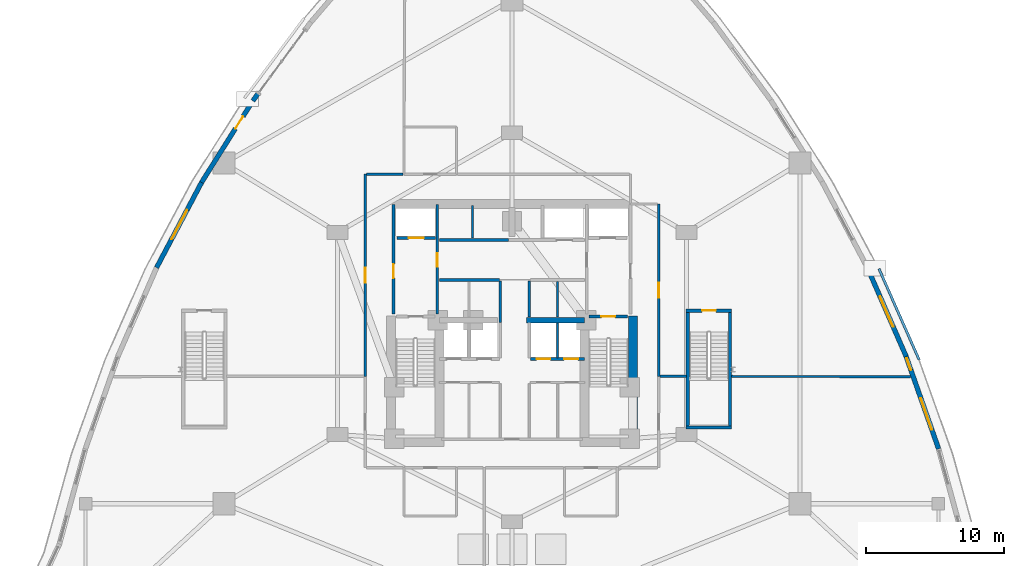
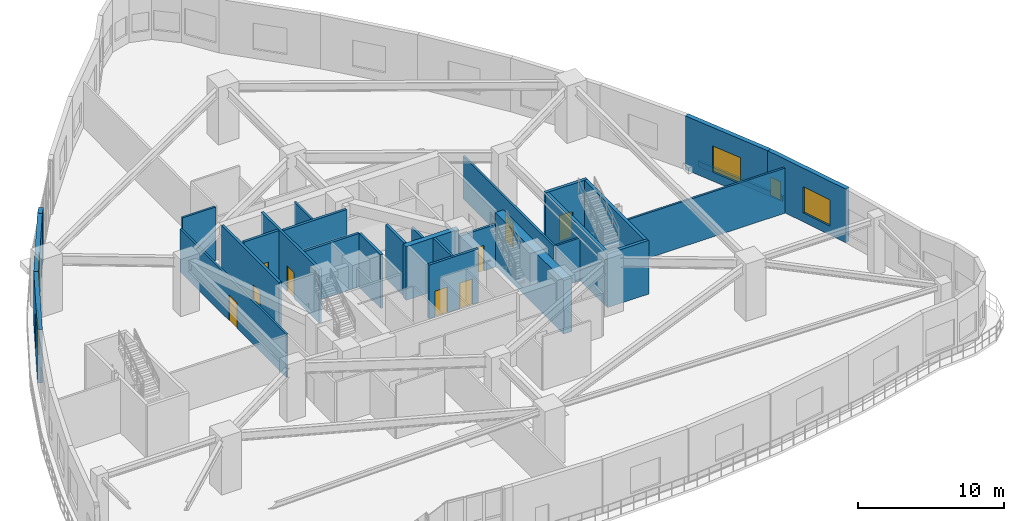
# One storey, part 17 of 23: 29 walls, 10 doors, 4 windows, 14 openings.
"""IFC4 building model written with IfcOpenShell, lengths in metres."""

from ifc_helpers import new_model, si_unit, direction, frame, frame_2d, origin, place, context, subcontext, project, spatial, rectangle, extrude, material, layer, layer_set, type_object, element, fill, save


model = new_model("IFC4")

# Units and contexts
model_context = context("Model", 3, precision=1e-05, world=origin(), true_north=direction((0.0, 1.0)))
body_context = subcontext(model_context, "Body", "Model", "MODEL_VIEW")
ifc_project = project(units=[si_unit("LENGTHUNIT", "METRE"), si_unit("AREAUNIT", "SQUARE_METRE"), si_unit("VOLUMEUNIT", "CUBIC_METRE"), si_unit("PLANEANGLEUNIT", "RADIAN"), si_unit("MASSUNIT", "GRAM", prefix="KILO")], contexts=[model_context])

# Site, building, storey
site_placement = place(None, origin())
site = spatial("IfcSite", under=ifc_project, at=site_placement, CompositionType="ELEMENT")
building_placement = place(site_placement, origin())
building = spatial("IfcBuilding", under=site, at=building_placement, Name="Miruveldt Soraemaru", CompositionType="ELEMENT")
storey_placement = place(building_placement, frame((0.0, 0.0, 9.60009765625)))
storey = spatial("IfcBuildingStorey", under=building, at=storey_placement, Name="L03", CompositionType="ELEMENT", Elevation=9.60009765625)

# Wall
ifc_material_1 = material(Name="Concrete C70/85 (70 MPa)", Category="concrete")
ifc_layer_1 = layer(ifc_material_1, 0.5, Name="Concrete C70/85 (70 MPa)", Category="concrete")
ifc_layer_set_1 = layer_set([ifc_layer_1], Name="Concrete C70/85 (70 MPa)")
wall_type_1 = type_object("IfcWallType", Name="WALL-BW-500", PredefinedType="SHEAR", material=ifc_layer_set_1)
wall_1_placement = place(storey_placement, frame((45.050048828125, 44.050048828125, 0.0), z_axis=(0.0, 0.0, 1.0), x_axis=(1.0, 0.0, 0.0)))
element("IfcWall", 1, at=wall_1_placement, inside=storey, type_object=wall_type_1, Name="L03 Core Buttress Shear Wall BE", PredefinedType="SHEAR", context=body_context, shape_type="SweptSolid", body=[
    extrude(rectangle(XDim=4.199951171875, YDim=0.39990234375, at=frame_2d((2.10009765625, 0.0))), origin(), (0.0, 0.0, 1.0), 4.5),
])

# Wall, opening, door
ifc_material_2 = material(Name="Concrete C50/60 (50 MPa)", Category="concrete")
ifc_layer_2 = layer(ifc_material_2, 0.419921875, Name="Concrete C50/60 (50 MPa)", Category="concrete")
ifc_layer_set_2 = layer_set([ifc_layer_2], Name="Concrete C50/60 (50 MPa)")
wall_type_2 = type_object("IfcWallType", Name="WALL-CW-420", PredefinedType="SHEAR", material=ifc_layer_set_2)
wall_2_placement = place(storey_placement, frame((56.580078125, 44.75, 0.0), z_axis=(0.0, 0.0, 1.0), x_axis=(1.0, 0.0, 0.0)))
wall_2 = element("IfcWall", 2, at=wall_2_placement, inside=storey, type_object=wall_type_2, Name="L03 Podium Garden Feature Stair ST-4 Structural Shaft Wall N", PredefinedType="SHEAR", context=body_context, shape_type="SweptSolid", body=[
    extrude(rectangle(XDim=3.2900390625, YDim=0.239990234375, at=frame_2d((1.64501953125, 0.0))), origin(), (0.0, 0.0, 1.0), 4.5),
])
opening_1_placement = place(wall_2_placement, frame((1.14501953125, 0.0, 0.0)))
opening_1 = element("IfcOpeningElement", 3, at=opening_1_placement, cuts=wall_2, Name="Opening FD1", PredefinedType="OPENING", context=body_context, shape_type="SweptSolid", body=[
    extrude(rectangle(XDim=1.0, YDim=2.14990234375, at=frame_2d((0.5, 1.074951171875))), frame((0.0, 0.1298828125, 0.0), z_axis=(0.0, -1.0, 0.0), x_axis=(1.0, 0.0, 0.0)), (0.0, 0.0, 1.0), 0.260009765625),
])
ifc_material_3 = material(Name="Anodised aluminium EN AW-6063 T6", Category="aluminium")
door_type_1 = type_object("IfcDoorType", Name="DOOR-FD1-1000", OperationType="NOTDEFINED", PredefinedType="DOOR", material=ifc_material_3)
door_1_placement = place(opening_1_placement, frame((1.0, 0.0, 0.0), z_axis=(0.0, 0.0, 1.0), x_axis=(-1.0, 0.0, 0.0)))
door_1 = element("IfcDoor", 4, at=door_1_placement, inside=storey, type_object=door_type_1, Name="L03 Podium Garden Feature Stair ST-4 Fire Door", OperationType="SINGLE_SWING_LEFT", OverallHeight=2.14990234375, OverallWidth=1.0, PredefinedType="DOOR", context=body_context, shape_type="SweptSolid", body=[
    extrude(rectangle(XDim=1.0, YDim=2.14990234375, at=frame_2d((0.5, 1.074951171875))), frame((0.0, 0.02490234375, 0.0), z_axis=(0.0, -1.0, 0.0), x_axis=(1.0, 0.0, 0.0)), (0.0, 0.0, 1.0), 0.050048828125),
])
fill(opening_1, door_1)

# Walls
for number, where, z_axis, x_axis, name in (
    (5, (56.699951171875, 36.35009765625, 0.0), (0.0, 0.0, 1.0), (0.0, 1.0, 0.0), "L03 Podium Garden Feature Stair ST-4 Structural Shaft Wall W"),
    (6, (59.75, 36.35009765625, 0.0), (0.0, 0.0, 1.0), (0.0, 1.0, 0.0), "L03 Podium Garden Feature Stair ST-4 Structural Shaft Wall E"),
):
    element("IfcWall", number, at=place(storey_placement, frame(where, z_axis=z_axis, x_axis=x_axis)), inside=storey, type_object=wall_type_2, Name=name, PredefinedType="SHEAR", context=body_context, shape_type="SweptSolid", body=[
        extrude(rectangle(XDim=8.349853515625, YDim=0.239990234375, at=frame_2d((4.1748046875, 0.0))), origin(), (0.0, 0.0, 1.0), 4.5),
    ])
wall_3_placement = place(storey_placement, frame((56.580078125, 36.300048828125, 0.0), z_axis=(0.0, 0.0, 1.0), x_axis=(1.0, 0.0, 0.0)))
element("IfcWall", 7, at=wall_3_placement, inside=storey, type_object=wall_type_2, Name="L03 Podium Garden Feature Stair ST-4 Structural Shaft Wall S", PredefinedType="SHEAR", context=body_context, shape_type="SweptSolid", body=[
    extrude(rectangle(XDim=3.2900390625, YDim=0.239990234375, at=frame_2d((1.64501953125, 0.0))), origin(), (0.0, 0.0, 1.0), 4.5),
])
ifc_material_4 = material(Name="Concrete C80/95 (80 MPa)", Category="concrete")
ifc_layer_3 = layer(ifc_material_4, 0.64990234375, Name="Concrete C80/95 (80 MPa)", Category="concrete")
ifc_layer_set_3 = layer_set([ifc_layer_3], Name="Concrete C80/95 (80 MPa)")
wall_type_3 = type_object("IfcWallType", Name="WALL-CW-650", PredefinedType="SHEAR", material=ifc_layer_set_3)
wall_4_placement = place(storey_placement, frame((52.72509765625, 34.949951171875, 0.0), z_axis=(0.0, 0.0, 1.0), x_axis=(0.0, 1.0, 0.0)))
element("IfcWall", 8, at=wall_4_placement, inside=storey, type_object=wall_type_3, Name="L03 Central Core Shear Wall E1", PredefinedType="SHEAR", context=body_context, shape_type="SweptSolid", body=[
    extrude(rectangle(XDim=9.400146484375, YDim=0.64990234375, at=frame_2d((4.7001953125, 0.0))), origin(), (0.0, 0.0, 1.0), 4.5),
])
ifc_material_5 = material(Name="Precast concrete C45/55 (45 MPa)", Category="concrete")
ifc_layer_4 = layer(ifc_material_5, 0.340087890625, Name="Precast concrete C45/55 (45 MPa)", Category="concrete")
ifc_layer_set_4 = layer_set([ifc_layer_4], Name="Precast concrete C45/55 (45 MPa)")
wall_type_4 = type_object("IfcWallType", Name="WALL-EXT-PC340", PredefinedType="SOLIDWALL", material=ifc_layer_set_4)
wall_5_placement = place(storey_placement, frame((25.694580078125, 60.466796875, 0.0), z_axis=(0.0, 0.0, 1.0), x_axis=(-0.593612202557, -0.804751236703, 0.0)))
element("IfcWall", 9, at=wall_5_placement, inside=storey, type_object=wall_type_4, Name="L03 Precast Pier Right 9", PredefinedType="SOLIDWALL", context=body_context, shape_type="SweptSolid", body=[
    extrude(rectangle(XDim=0.705322265625, YDim=0.340087890625, at=frame_2d((0.3525390625, 0.0))), origin(), (0.0, 0.0, 1.0), 4.5),
])

# Wall, opening, door
wall_6_placement = place(storey_placement, frame((25.315185546875, 59.95703125, 0.0), z_axis=(0.0, 0.0, 1.0), x_axis=(-0.532076922899, -0.846696018721, 0.0)))
wall_6 = element("IfcWall", 10, at=wall_6_placement, inside=storey, type_object=wall_type_4, Name="L03 Precast Concrete Facade Wall 10", PredefinedType="SOLIDWALL", context=body_context, shape_type="SweptSolid", body=[
    extrude(rectangle(XDim=7.028076171875, YDim=0.340087890625, at=frame_2d((3.51416015625, 0.0))), origin(), (0.0, 0.0, 1.0), 4.5),
])
opening_2_placement = place(wall_6_placement, frame((1.39208984375, 0.0, 0.0)))
opening_2 = element("IfcOpeningElement", 11, at=opening_2_placement, cuts=wall_6, Name="Opening TD-1", PredefinedType="OPENING", context=body_context, shape_type="SweptSolid", body=[
    extrude(rectangle(XDim=1.050048828125, YDim=2.14990234375, at=frame_2d((0.52490234375, 1.074951171875))), frame((0.0, 0.18017578125, 0.0), z_axis=(0.0, -1.0, 0.0), x_axis=(1.0, 0.0, 0.0)), (0.0, 0.0, 1.0), 0.360107421875),
])
door_type_2 = type_object("IfcDoorType", Name="DOOR-TER-1050", OperationType="NOTDEFINED", PredefinedType="DOOR", material=ifc_material_3)
door_2_placement = place(opening_2_placement, frame((1.050048828125, 0.0, 0.0), z_axis=(0.0, 0.0, 1.0), x_axis=(-1.0, 0.0, 0.0)))
door_2 = element("IfcDoor", 12, at=door_2_placement, inside=storey, type_object=door_type_2, Name="L03 Terrace Access Glazed Door 10", OperationType="SINGLE_SWING_RIGHT", OverallHeight=2.14990234375, OverallWidth=1.050048828125, PredefinedType="DOOR", context=body_context, shape_type="SweptSolid", body=[
    extrude(rectangle(XDim=1.050048828125, YDim=2.14990234375, at=frame_2d((0.52490234375, 1.074951171875))), frame((0.0, 0.02490234375, 0.0), z_axis=(0.0, -1.0, 0.0), x_axis=(1.0, 0.0, 0.0)), (0.0, 0.0, 1.0), 0.050048828125),
])
fill(opening_2, door_2)

# Wall, opening, window
wall_7_placement = place(storey_placement, frame((21.610595703125, 54.06689453125, 0.0), z_axis=(0.0, 0.0, 1.0), x_axis=(-0.467220437821, -0.884140861222, 0.0)))
wall_7 = element("IfcWall", 13, at=wall_7_placement, inside=storey, type_object=wall_type_4, Name="L03 Precast Concrete Facade Wall 11", PredefinedType="SOLIDWALL", context=body_context, shape_type="SweptSolid", body=[
    extrude(rectangle(XDim=7.028076171875, YDim=0.340087890625, at=frame_2d((3.51416015625, 0.0))), origin(), (0.0, 0.0, 1.0), 4.5),
])
opening_3_placement = place(wall_7_placement, frame((2.31396484375, 0.0, 0.75)))
opening_3 = element("IfcOpeningElement", 14, at=opening_3_placement, cuts=wall_7, Name="Opening WN-5", PredefinedType="OPENING", context=body_context, shape_type="SweptSolid", body=[
    extrude(rectangle(XDim=2.39990234375, YDim=2.199951171875, at=frame_2d((1.199951171875, 1.10009765625))), frame((0.0, 0.18017578125, 0.0), z_axis=(0.0, -1.0, 0.0), x_axis=(1.0, 0.0, 0.0)), (0.0, 0.0, 1.0), 0.360107421875),
])
ifc_material_6 = material(Name="Triple low-e insulated glazing", Category="glass")
window_type_1 = type_object("IfcWindowType", Name="WIN-PODM-2400x2200", PartitioningType="SINGLE_PANEL", PredefinedType="WINDOW", material=ifc_material_6)
window_1_placement = place(opening_3_placement, origin())
window_1 = element("IfcWindow", 15, at=window_1_placement, inside=storey, type_object=window_type_1, Name="L03 Punched Triple-Glazed Window 11.1", OverallHeight=2.199951171875, OverallWidth=2.39990234375, PartitioningType="SINGLE_PANEL", PredefinedType="WINDOW", context=body_context, shape_type="SweptSolid", body=[
    extrude(rectangle(XDim=2.39990234375, YDim=2.199951171875, at=frame_2d((1.199951171875, 1.10009765625))), frame((0.0, 0.030029296875, 0.0), z_axis=(0.0, -1.0, 0.0), x_axis=(1.0, 0.0, 0.0)), (0.0, 0.0, 1.0), 0.06005859375),
])
fill(opening_3, window_1)

# Wall, openings, windows
wall_8_placement = place(storey_placement, frame((74.81494140625, 34.764404296875, 0.0), z_axis=(0.0, 0.0, 1.0), x_axis=(-0.331818926914, 0.943343097575, 0.0)))
wall_8 = element("IfcWall", 16, at=wall_8_placement, inside=storey, type_object=wall_type_4, Name="L03 Precast Concrete Facade Wall 36", PredefinedType="SOLIDWALL", context=body_context, shape_type="SweptSolid", body=[
    extrude(rectangle(XDim=7.144287109375, YDim=0.340087890625, at=frame_2d((3.572265625, 0.0))), origin(), (0.0, 0.0, 1.0), 4.5),
])
opening_4_placement = place(wall_8_placement, frame((1.468994140625, 0.0, 0.75)))
opening_4 = element("IfcOpeningElement", 17, at=opening_4_placement, cuts=wall_8, Name="Opening WN-5", PredefinedType="OPENING", context=body_context, shape_type="SweptSolid", body=[
    extrude(rectangle(XDim=2.39990234375, YDim=2.199951171875, at=frame_2d((1.199951171875, 1.10009765625))), frame((0.0, 0.18017578125, 0.0), z_axis=(0.0, -1.0, 0.0), x_axis=(1.0, 0.0, 0.0)), (0.0, 0.0, 1.0), 0.360107421875),
])
opening_5_placement = place(wall_8_placement, frame((6.031005859375, 0.0, 0.780029296875)))
opening_5 = element("IfcOpeningElement", 18, at=opening_5_placement, cuts=wall_8, Name="Opening WN-7", PredefinedType="OPENING", context=body_context, shape_type="SweptSolid", body=[
    extrude(rectangle(XDim=0.89990234375, YDim=1.5, at=frame_2d((0.449951171875, 0.75))), frame((0.0, 0.18017578125, 0.0), z_axis=(0.0, -1.0, 0.0), x_axis=(1.0, 0.0, 0.0)), (0.0, 0.0, 1.0), 0.360107421875),
])
window_2_placement = place(opening_4_placement, origin())
window_2 = element("IfcWindow", 19, at=window_2_placement, inside=storey, type_object=window_type_1, Name="L03 Punched Triple-Glazed Window 36.1", OverallHeight=2.199951171875, OverallWidth=2.39990234375, PartitioningType="SINGLE_PANEL", PredefinedType="WINDOW", context=body_context, shape_type="SweptSolid", body=[
    extrude(rectangle(XDim=2.39990234375, YDim=2.199951171875, at=frame_2d((1.199951171875, 1.10009765625))), frame((0.0, 0.030029296875, 0.0), z_axis=(0.0, -1.0, 0.0), x_axis=(1.0, 0.0, 0.0)), (0.0, 0.0, 1.0), 0.06005859375),
])
fill(opening_4, window_2)
window_type_2 = type_object("IfcWindowType", Name="WIN-PUNCH-900x1500", PartitioningType="SINGLE_PANEL", PredefinedType="WINDOW", material=ifc_material_6)
window_3_placement = place(opening_5_placement, origin())
window_3 = element("IfcWindow", 20, at=window_3_placement, inside=storey, type_object=window_type_2, Name="L03 Punched Triple-Glazed Window 36.2", OverallHeight=1.5, OverallWidth=0.89990234375, PartitioningType="SINGLE_PANEL", PredefinedType="WINDOW", context=body_context, shape_type="SweptSolid", body=[
    extrude(rectangle(XDim=0.89990234375, YDim=1.5, at=frame_2d((0.449951171875, 0.75))), frame((0.0, 0.030029296875, 0.0), z_axis=(0.0, -1.0, 0.0), x_axis=(1.0, 0.0, 0.0)), (0.0, 0.0, 1.0), 0.06005859375),
])
fill(opening_5, window_3)

# Wall, opening, window
wall_9_placement = place(storey_placement, frame((72.469970703125, 41.43896484375, 0.0), z_axis=(0.0, 0.0, 1.0), x_axis=(-0.400068444927, 0.916485264133, 0.0)))
wall_9 = element("IfcWall", 21, at=wall_9_placement, inside=storey, type_object=wall_type_4, Name="L03 Precast Concrete Facade Wall 37", PredefinedType="SOLIDWALL", context=body_context, shape_type="SweptSolid", body=[
    extrude(rectangle(XDim=7.0673828125, YDim=0.340087890625, at=frame_2d((3.53369140625, 0.0))), origin(), (0.0, 0.0, 1.0), 4.5),
])
opening_6_placement = place(wall_9_placement, frame((2.3330078125, 0.0, 0.75)))
opening_6 = element("IfcOpeningElement", 22, at=opening_6_placement, cuts=wall_9, Name="Opening WN-5", PredefinedType="OPENING", context=body_context, shape_type="SweptSolid", body=[
    extrude(rectangle(XDim=2.39990234375, YDim=2.199951171875, at=frame_2d((1.199951171875, 1.10009765625))), frame((0.0, 0.18017578125, 0.0), z_axis=(0.0, -1.0, 0.0), x_axis=(1.0, 0.0, 0.0)), (0.0, 0.0, 1.0), 0.360107421875),
])
window_4_placement = place(opening_6_placement, origin())
window_4 = element("IfcWindow", 23, at=window_4_placement, inside=storey, type_object=window_type_1, Name="L03 Punched Triple-Glazed Window 37.1", OverallHeight=2.199951171875, OverallWidth=2.39990234375, PartitioningType="SINGLE_PANEL", PredefinedType="WINDOW", context=body_context, shape_type="SweptSolid", body=[
    extrude(rectangle(XDim=2.39990234375, YDim=2.199951171875, at=frame_2d((1.199951171875, 1.10009765625))), frame((0.0, 0.030029296875, 0.0), z_axis=(0.0, -1.0, 0.0), x_axis=(1.0, 0.0, 0.0)), (0.0, 0.0, 1.0), 0.06005859375),
])
fill(opening_6, window_4)

# Wall, opening, door
ifc_material_7 = material(Name="Concrete C40/50 (40 MPa)", Category="concrete")
ifc_layer_5 = layer(ifc_material_7, 0.159912109375, Name="Concrete C40/50 (40 MPa)", Category="concrete")
ifc_layer_set_5 = layer_set([ifc_layer_5], Name="Concrete C40/50 (40 MPa)")
wall_type_5 = type_object("IfcWallType", Name="WALL-INT-RC160", PredefinedType="SOLIDWALL", material=ifc_layer_set_5)
wall_10_placement = place(storey_placement, frame((33.39990234375, 54.60009765625, 0.0), z_axis=(0.0, 0.0, 1.0), x_axis=(0.0, -1.0, 0.0)))
wall_10 = element("IfcWall", 24, at=wall_10_placement, inside=storey, type_object=wall_type_5, Name="L03 Partition Wall 11", PredefinedType="SOLIDWALL", context=body_context, shape_type="SweptSolid", body=[
    extrude(rectangle(XDim=14.60009765625, YDim=0.159912109375, at=frame_2d((7.300048828125, 0.0))), origin(), (0.0, 0.0, 1.0), 3.587890625),
])
opening_7_placement = place(wall_10_placement, frame((6.75, 0.0, 0.0)))
opening_7 = element("IfcOpeningElement", 25, at=opening_7_placement, cuts=wall_10, Name="Opening FD1A", PredefinedType="OPENING", context=body_context, shape_type="SweptSolid", body=[
    extrude(rectangle(XDim=1.10009765625, YDim=2.14990234375, at=frame_2d((0.550048828125, 1.074951171875))), frame((0.0, 0.08984375, 0.0), z_axis=(0.0, -1.0, 0.0), x_axis=(1.0, 0.0, 0.0)), (0.0, 0.0, 1.0), 0.179931640625),
])
door_type_3 = type_object("IfcDoorType", Name="DOOR-FD1-1100", OperationType="NOTDEFINED", PredefinedType="DOOR", material=ifc_material_3)
door_3_placement = place(opening_7_placement, origin())
door_3 = element("IfcDoor", 26, at=door_3_placement, inside=storey, type_object=door_type_3, Name="L03 After-School Care Studio Entrance Door", OperationType="SINGLE_SWING_RIGHT", OverallHeight=2.14990234375, OverallWidth=1.10009765625, PredefinedType="DOOR", context=body_context, shape_type="SweptSolid", body=[
    extrude(rectangle(XDim=1.10009765625, YDim=2.14990234375, at=frame_2d((0.550048828125, 1.074951171875))), frame((0.0, 0.02490234375, 0.0), z_axis=(0.0, -1.0, 0.0), x_axis=(1.0, 0.0, 0.0)), (0.0, 0.0, 1.0), 0.050048828125),
])
fill(opening_7, door_3)

wall_11_placement = place(storey_placement, frame((54.60009765625, 40.0, 0.0), z_axis=(0.0, 0.0, 1.0), x_axis=(0.0, 1.0, 0.0)))
wall_11 = element("IfcWall", 27, at=wall_11_placement, inside=storey, type_object=wall_type_5, Name="L03 Partition Wall 12", PredefinedType="SOLIDWALL", context=body_context, shape_type="SweptSolid", body=[
    extrude(rectangle(XDim=12.449951171875, YDim=0.159912109375, at=frame_2d((6.22509765625, 0.0))), origin(), (0.0, 0.0, 1.0), 3.587890625),
])
opening_8_placement = place(wall_11_placement, frame((5.675048828125, 0.0, 0.0)))
opening_8 = element("IfcOpeningElement", 28, at=opening_8_placement, cuts=wall_11, Name="Opening FD1A", PredefinedType="OPENING", context=body_context, shape_type="SweptSolid", body=[
    extrude(rectangle(XDim=1.10009765625, YDim=2.14990234375, at=frame_2d((0.550048828125, 1.074951171875))), frame((0.0, 0.08984375, 0.0), z_axis=(0.0, -1.0, 0.0), x_axis=(1.0, 0.0, 0.0)), (0.0, 0.0, 1.0), 0.179931640625),
])
door_4_placement = place(opening_8_placement, origin())
door_4 = element("IfcDoor", 29, at=door_4_placement, inside=storey, type_object=door_type_3, Name="L03 Family Craft and Reading Room Entrance Door", OperationType="SINGLE_SWING_LEFT", OverallHeight=2.14990234375, OverallWidth=1.10009765625, PredefinedType="DOOR", context=body_context, shape_type="SweptSolid", body=[
    extrude(rectangle(XDim=1.10009765625, YDim=2.14990234375, at=frame_2d((0.550048828125, 1.074951171875))), frame((0.0, 0.02490234375, 0.0), z_axis=(0.0, -1.0, 0.0), x_axis=(1.0, 0.0, 0.0)), (0.0, 0.0, 1.0), 0.050048828125),
])
fill(opening_8, door_4)

# Walls
wall_12_placement = place(storey_placement, frame((72.7900390625, 39.965087890625, 0.0), z_axis=(0.0, 0.0, 1.0), x_axis=(-0.999996371623, 0.002693833945, 0.0)))
element("IfcWall", 30, at=wall_12_placement, inside=storey, type_object=wall_type_5, Name="L03 Partition Wall 28", PredefinedType="SOLIDWALL", context=body_context, shape_type="SweptSolid", body=[
    extrude(rectangle(XDim=12.9599609375, YDim=0.159912109375, at=frame_2d((6.47998046875, 0.0))), origin(), (0.0, 0.0, 1.0), 3.787841796875),
])
wall_13_placement = place(storey_placement, frame((36.1201171875, 54.60009765625, 0.0), z_axis=(0.0, 0.0, 1.0), x_axis=(-1.0, 0.0, 0.0)))
element("IfcWall", 31, at=wall_13_placement, inside=storey, type_object=wall_type_5, Name="L03 Partition Wall 10", PredefinedType="SOLIDWALL", context=body_context, shape_type="SweptSolid", body=[
    extrude(rectangle(XDim=2.64013671875, YDim=0.159912109375, at=frame_2d((1.320068359375, 0.0))), origin(), (0.0, 0.0, 1.0), 4.5),
])
wall_14_placement = place(storey_placement, frame((47.280029296875, 44.300048828125, 0.0), z_axis=(0.0, 0.0, 1.0), x_axis=(0.0, 1.0, 0.0)))
element("IfcWall", 32, at=wall_14_placement, inside=storey, type_object=wall_type_5, Name="L03 Core Compartment Wall PLM-DE", PredefinedType="SOLIDWALL", context=body_context, shape_type="SweptSolid", body=[
    extrude(rectangle(XDim=2.550048828125, YDim=0.159912109375, at=frame_2d((1.27490234375, 0.0))), origin(), (0.0, 0.0, 1.0), 3.587890625),
])
wall_15_placement = place(storey_placement, frame((47.280029296875, 41.320068359375, 0.0), z_axis=(0.0, 0.0, 1.0), x_axis=(0.0, 1.0, 0.0)))
element("IfcWall", 33, at=wall_15_placement, inside=storey, type_object=wall_type_5, Name="L03 Core Compartment Wall PLL-DE", PredefinedType="SOLIDWALL", context=body_context, shape_type="SweptSolid", body=[
    extrude(rectangle(XDim=2.530029296875, YDim=0.159912109375, at=frame_2d((1.26513671875, 0.0))), origin(), (0.0, 0.0, 1.0), 4.5),
])
wall_16_placement = place(storey_placement, frame((41.14990234375, 49.97998046875, 0.0), z_axis=(0.0, 0.0, 1.0), x_axis=(0.0, 1.0, 0.0)))
element("IfcWall", 34, at=wall_16_placement, inside=storey, type_object=wall_type_5, Name="L03 Core Compartment Wall PLH-DIV1", PredefinedType="SOLIDWALL", context=body_context, shape_type="SweptSolid", body=[
    extrude(rectangle(XDim=2.3701171875, YDim=0.159912109375, at=frame_2d((1.18505859375, 0.0))), origin(), (0.0, 0.0, 1.0), 4.5),
])
wall_17_placement = place(storey_placement, frame((56.6201171875, 40.0, 0.0), z_axis=(0.0, 0.0, 1.0), x_axis=(-1.0, 0.0, 0.0)))
element("IfcWall", 35, at=wall_17_placement, inside=storey, type_object=wall_type_5, Name="L03 Partition Wall 29", PredefinedType="SOLIDWALL", context=body_context, shape_type="SweptSolid", body=[
    extrude(rectangle(XDim=1.940185546875, YDim=0.159912109375, at=frame_2d((0.97021484375, 0.0))), origin(), (0.0, 0.0, 1.0), 3.587890625),
])

# Wall, opening, door
ifc_layer_6 = layer(ifc_material_7, 0.199951171875, Name="Concrete C40/50 (40 MPa)", Category="concrete")
ifc_layer_set_6 = layer_set([ifc_layer_6], Name="Concrete C40/50 (40 MPa)")
wall_type_6 = type_object("IfcWallType", Name="WALL-INT-RC200", PredefinedType="SOLIDWALL", material=ifc_layer_set_6)
wall_18_placement = place(storey_placement, frame((35.449951171875, 44.5, 0.0), z_axis=(0.0, 0.0, 1.0), x_axis=(0.0, 1.0, 0.0)))
wall_18 = element("IfcWall", 36, at=wall_18_placement, inside=storey, type_object=wall_type_6, Name="L03 Core Compartment Wall FFW-OUT", PredefinedType="SOLIDWALL", context=body_context, shape_type="SweptSolid", body=[
    extrude(rectangle(XDim=7.919921875, YDim=0.199951171875, at=frame_2d((3.9599609375, 0.0))), origin(), (0.0, 0.0, 1.0), 4.5),
])
opening_9_placement = place(wall_18_placement, frame((2.60009765625, 0.0, 0.0)))
opening_9 = element("IfcOpeningElement", 37, at=opening_9_placement, cuts=wall_18, Name="Opening FD1", PredefinedType="OPENING", context=body_context, shape_type="SweptSolid", body=[
    extrude(rectangle(XDim=1.0, YDim=2.14990234375, at=frame_2d((0.5, 1.074951171875))), frame((0.0, 0.10986328125, 0.0), z_axis=(0.0, -1.0, 0.0), x_axis=(1.0, 0.0, 0.0)), (0.0, 0.0, 1.0), 0.219970703125),
])
door_5_placement = place(opening_9_placement, origin())
door_5 = element("IfcDoor", 38, at=door_5_placement, inside=storey, type_object=door_type_1, Name="L03 West Firefighting Lobby Exit Door", OperationType="SINGLE_SWING_LEFT", OverallHeight=2.14990234375, OverallWidth=1.0, PredefinedType="DOOR", context=body_context, shape_type="SweptSolid", body=[
    extrude(rectangle(XDim=1.0, YDim=2.14990234375, at=frame_2d((0.5, 1.074951171875))), frame((0.0, 0.02490234375, 0.0), z_axis=(0.0, -1.0, 0.0), x_axis=(1.0, 0.0, 0.0)), (0.0, 0.0, 1.0), 0.050048828125),
])
fill(opening_9, door_5)

wall_19_placement = place(storey_placement, frame((38.60009765625, 44.5, 0.0), z_axis=(0.0, 0.0, 1.0), x_axis=(0.0, 1.0, 0.0)))
wall_19 = element("IfcWall", 39, at=wall_19_placement, inside=storey, type_object=wall_type_6, Name="L03 Core Compartment Wall FFW-IN", PredefinedType="SOLIDWALL", context=body_context, shape_type="SweptSolid", body=[
    extrude(rectangle(XDim=7.919921875, YDim=0.199951171875, at=frame_2d((3.9599609375, 0.0))), origin(), (0.0, 0.0, 1.0), 4.5),
])
opening_10_placement = place(wall_19_placement, frame((3.425048828125, 0.0, 0.0)))
opening_10 = element("IfcOpeningElement", 40, at=opening_10_placement, cuts=wall_19, Name="Opening FD2", PredefinedType="OPENING", context=body_context, shape_type="SweptSolid", body=[
    extrude(rectangle(XDim=0.949951171875, YDim=2.14990234375, at=frame_2d((0.47509765625, 1.074951171875))), frame((0.0, 0.10986328125, 0.0), z_axis=(0.0, -1.0, 0.0), x_axis=(1.0, 0.0, 0.0)), (0.0, 0.0, 1.0), 0.219970703125),
])
door_type_4 = type_object("IfcDoorType", Name="DOOR-FD2-950", OperationType="NOTDEFINED", PredefinedType="DOOR", material=ifc_material_3)
door_6_placement = place(opening_10_placement, frame((0.949951171875, 0.0, 0.0), z_axis=(0.0, 0.0, 1.0), x_axis=(-1.0, 0.0, 0.0)))
door_6 = element("IfcDoor", 41, at=door_6_placement, inside=storey, type_object=door_type_4, Name="L03 Lift Lobby to West Fire Lobby Door", OperationType="SINGLE_SWING_RIGHT", OverallHeight=2.14990234375, OverallWidth=0.949951171875, PredefinedType="DOOR", context=body_context, shape_type="SweptSolid", body=[
    extrude(rectangle(XDim=0.949951171875, YDim=2.14990234375, at=frame_2d((0.47509765625, 1.074951171875))), frame((0.0, 0.02490234375, 0.0), z_axis=(0.0, -1.0, 0.0), x_axis=(1.0, 0.0, 0.0)), (0.0, 0.0, 1.0), 0.050048828125),
])
fill(opening_10, door_6)

# Wall, openings, doors
wall_20_placement = place(storey_placement, frame((45.320068359375, 41.25, 0.0), z_axis=(0.0, 0.0, 1.0), x_axis=(1.0, 0.0, 0.0)))
wall_20 = element("IfcWall", 42, at=wall_20_placement, inside=storey, type_object=wall_type_6, Name="L03 Core Compartment Wall LBE-S", PredefinedType="SOLIDWALL", context=body_context, shape_type="SweptSolid", body=[
    extrude(rectangle(XDim=3.929931640625, YDim=0.199951171875, at=frame_2d((1.96484375, 0.0))), origin(), (0.0, 0.0, 1.0), 4.5),
])
opening_11_placement = place(wall_20_placement, frame((0.449951171875, 0.0, 0.0)))
opening_11 = element("IfcOpeningElement", 43, at=opening_11_placement, cuts=wall_20, Name="Opening LD1B", PredefinedType="OPENING", context=body_context, shape_type="SweptSolid", body=[
    extrude(rectangle(XDim=1.0, YDim=2.14990234375, at=frame_2d((0.5, 1.074951171875))), frame((0.0, 0.10986328125, 0.0), z_axis=(0.0, -1.0, 0.0), x_axis=(1.0, 0.0, 0.0)), (0.0, 0.0, 1.0), 0.219970703125),
])
opening_12_placement = place(wall_20_placement, frame((2.449951171875, 0.0, 0.0)))
opening_12 = element("IfcOpeningElement", 44, at=opening_12_placement, cuts=wall_20, Name="Opening LD1B", PredefinedType="OPENING", context=body_context, shape_type="SweptSolid", body=[
    extrude(rectangle(XDim=1.0, YDim=2.14990234375, at=frame_2d((0.5, 1.074951171875))), frame((0.0, 0.10986328125, 0.0), z_axis=(0.0, -1.0, 0.0), x_axis=(1.0, 0.0, 0.0)), (0.0, 0.0, 1.0), 0.219970703125),
])
door_type_5 = type_object("IfcDoorType", Name="DOOR-LD1-1000", OperationType="SLIDING_TO_LEFT", PredefinedType="DOOR", material=ifc_material_3)
door_7_placement = place(opening_11_placement, frame((1.0, 0.0, 0.0), z_axis=(0.0, 0.0, 1.0), x_axis=(-1.0, 0.0, 0.0)))
door_7 = element("IfcDoor", 45, at=door_7_placement, inside=storey, type_object=door_type_5, Name="L03 PL-L3 Landing Door", OperationType="SLIDING_TO_LEFT", OverallHeight=2.14990234375, OverallWidth=1.0, PredefinedType="DOOR", context=body_context, shape_type="SweptSolid", body=[
    extrude(rectangle(XDim=1.0, YDim=2.14990234375, at=frame_2d((0.5, 1.074951171875))), frame((0.0, 0.02490234375, 0.0), z_axis=(0.0, -1.0, 0.0), x_axis=(1.0, 0.0, 0.0)), (0.0, 0.0, 1.0), 0.050048828125),
])
fill(opening_11, door_7)
door_8_placement = place(opening_12_placement, frame((1.0, 0.0, 0.0), z_axis=(0.0, 0.0, 1.0), x_axis=(-1.0, 0.0, 0.0)))
door_8 = element("IfcDoor", 46, at=door_8_placement, inside=storey, type_object=door_type_5, Name="L03 PL-L4 Landing Door", OperationType="SLIDING_TO_LEFT", OverallHeight=2.14990234375, OverallWidth=1.0, PredefinedType="DOOR", context=body_context, shape_type="SweptSolid", body=[
    extrude(rectangle(XDim=1.0, YDim=2.14990234375, at=frame_2d((0.5, 1.074951171875))), frame((0.0, 0.02490234375, 0.0), z_axis=(0.0, -1.0, 0.0), x_axis=(1.0, 0.0, 0.0)), (0.0, 0.0, 1.0), 0.050048828125),
])
fill(opening_12, door_8)

# Wall, opening, door
wall_21_placement = place(storey_placement, frame((49.550048828125, 44.320068359375, 0.0), z_axis=(0.0, 0.0, 1.0), x_axis=(1.0, 0.0, 0.0)))
wall_21 = element("IfcWall", 47, at=wall_21_placement, inside=storey, type_object=wall_type_6, Name="L03 Core Compartment Wall ST2-N", PredefinedType="SOLIDWALL", context=body_context, shape_type="SweptSolid", body=[
    extrude(rectangle(XDim=2.800048828125, YDim=0.199951171875, at=frame_2d((1.39990234375, 0.0))), origin(), (0.0, 0.0, 1.0), 3.587890625),
])
opening_13_placement = place(wall_21_placement, frame((0.89990234375, 0.0, 0.0)))
opening_13 = element("IfcOpeningElement", 48, at=opening_13_placement, cuts=wall_21, Name="Opening FD1", PredefinedType="OPENING", context=body_context, shape_type="SweptSolid", body=[
    extrude(rectangle(XDim=1.0, YDim=2.14990234375, at=frame_2d((0.5, 1.074951171875))), frame((0.0, 0.10986328125, 0.0), z_axis=(0.0, -1.0, 0.0), x_axis=(1.0, 0.0, 0.0)), (0.0, 0.0, 1.0), 0.219970703125),
])
door_9_placement = place(opening_13_placement, frame((1.0, 0.0, 0.0), z_axis=(0.0, 0.0, 1.0), x_axis=(-1.0, 0.0, 0.0)))
door_9 = element("IfcDoor", 49, at=door_9_placement, inside=storey, type_object=door_type_1, Name="L03 Stair ST-2 Fire Door", OperationType="SINGLE_SWING_RIGHT", OverallHeight=2.14990234375, OverallWidth=1.0, PredefinedType="DOOR", context=body_context, shape_type="SweptSolid", body=[
    extrude(rectangle(XDim=1.0, YDim=2.14990234375, at=frame_2d((0.5, 1.074951171875))), frame((0.0, 0.02490234375, 0.0), z_axis=(0.0, -1.0, 0.0), x_axis=(1.0, 0.0, 0.0)), (0.0, 0.0, 1.0), 0.050048828125),
])
fill(opening_13, door_9)

wall_22_placement = place(storey_placement, frame((35.679931640625, 50.0, 0.0), z_axis=(0.0, 0.0, 1.0), x_axis=(1.0, 0.0, 0.0)))
wall_22 = element("IfcWall", 50, at=wall_22_placement, inside=storey, type_object=wall_type_6, Name="L03 Core Compartment Wall FFL1-S", PredefinedType="SOLIDWALL", context=body_context, shape_type="SweptSolid", body=[
    extrude(rectangle(XDim=2.800048828125, YDim=0.199951171875, at=frame_2d((1.39990234375, 0.0))), origin(), (0.0, 0.0, 1.0), 4.5),
])
opening_14_placement = place(wall_22_placement, frame((0.85009765625, 0.0, 0.0)))
opening_14 = element("IfcOpeningElement", 51, at=opening_14_placement, cuts=wall_22, Name="Opening LD2", PredefinedType="OPENING", context=body_context, shape_type="SweptSolid", body=[
    extrude(rectangle(XDim=1.10009765625, YDim=2.14990234375, at=frame_2d((0.550048828125, 1.074951171875))), frame((0.0, 0.10986328125, 0.0), z_axis=(0.0, -1.0, 0.0), x_axis=(1.0, 0.0, 0.0)), (0.0, 0.0, 1.0), 0.219970703125),
])
door_type_6 = type_object("IfcDoorType", Name="DOOR-LD2-1100", OperationType="SLIDING_TO_LEFT", PredefinedType="DOOR", material=ifc_material_3)
door_10_placement = place(opening_14_placement, origin())
door_10 = element("IfcDoor", 52, at=door_10_placement, inside=storey, type_object=door_type_6, Name="L03 FFL-1 Landing Door", OperationType="SLIDING_TO_LEFT", OverallHeight=2.14990234375, OverallWidth=1.10009765625, PredefinedType="DOOR", context=body_context, shape_type="SweptSolid", body=[
    extrude(rectangle(XDim=1.10009765625, YDim=2.14990234375, at=frame_2d((0.550048828125, 1.074951171875))), frame((0.0, 0.02490234375, 0.0), z_axis=(0.0, -1.0, 0.0), x_axis=(1.0, 0.0, 0.0)), (0.0, 0.0, 1.0), 0.050048828125),
])
fill(opening_14, door_10)

# Walls
wall_23_placement = place(storey_placement, frame((38.75, 49.85009765625, 0.0), z_axis=(0.0, 0.0, 1.0), x_axis=(1.0, 0.0, 0.0)))
element("IfcWall", 53, at=wall_23_placement, inside=storey, type_object=wall_type_6, Name="L03 Core Compartment Wall ROWA-SW", PredefinedType="SOLIDWALL", context=body_context, shape_type="SweptSolid", body=[
    extrude(rectangle(XDim=5.0, YDim=0.199951171875, at=frame_2d((2.5, 0.0))), origin(), (0.0, 0.0, 1.0), 4.5),
])
wall_24_placement = place(storey_placement, frame((38.75, 46.949951171875, 0.0), z_axis=(0.0, 0.0, 1.0), x_axis=(1.0, 0.0, 0.0)))
element("IfcWall", 54, at=wall_24_placement, inside=storey, type_object=wall_type_6, Name="L03 Core Compartment Wall MBW-N", PredefinedType="SOLIDWALL", context=body_context, shape_type="SweptSolid", body=[
    extrude(rectangle(XDim=4.330078125, YDim=0.199951171875, at=frame_2d((2.1650390625, 0.0))), origin(), (0.0, 0.0, 1.0), 4.5),
])
wall_25_placement = place(storey_placement, frame((43.14990234375, 43.8798828125, 0.0), z_axis=(0.0, 0.0, 1.0), x_axis=(0.0, 1.0, 0.0)))
element("IfcWall", 55, at=wall_25_placement, inside=storey, type_object=wall_type_6, Name="L03 Core Compartment Wall SP-WB", PredefinedType="SOLIDWALL", context=body_context, shape_type="SweptSolid", body=[
    extrude(rectangle(XDim=3.0, YDim=0.199951171875, at=frame_2d((1.5, 0.0))), origin(), (0.0, 0.0, 1.0), 4.5),
])
wall_26_placement = place(storey_placement, frame((45.25, 44.300048828125, 0.0), z_axis=(0.0, 0.0, 1.0), x_axis=(0.0, 1.0, 0.0)))
element("IfcWall", 56, at=wall_26_placement, inside=storey, type_object=wall_type_6, Name="L03 Core Compartment Wall SP-EB", PredefinedType="SOLIDWALL", context=body_context, shape_type="SweptSolid", body=[
    extrude(rectangle(XDim=2.579833984375, YDim=0.199951171875, at=frame_2d((1.2900390625, 0.0))), origin(), (0.0, 0.0, 1.0), 4.5),
])
ifc_layer_7 = layer(ifc_material_5, 0.179931640625, Name="Precast concrete C45/55 (45 MPa)", Category="concrete")
ifc_layer_set_7 = layer_set([ifc_layer_7], Name="Precast concrete C45/55 (45 MPa)")
wall_type_7 = type_object("IfcWallType", Name="WALL-PAR-180", PredefinedType="PARAPET", material=ifc_layer_set_7)
wall_27_placement = place(storey_placement, frame((73.411376953125, 41.1962890625, 0.0), z_axis=(0.0, 0.0, 1.0), x_axis=(-0.404065993532, 0.914729836001, 0.0)))
element("IfcWall", 57, at=wall_27_placement, inside=storey, type_object=wall_type_7, Name="L03 Terrace Upstand Parapet 36", PredefinedType="PARAPET", context=body_context, shape_type="SweptSolid", body=[
    extrude(rectangle(XDim=7.1845703125, YDim=0.179931640625, at=frame_2d((3.59228515625, 0.0))), origin(), (0.0, 0.0, 1.0), 0.449951171875),
])

save(model, "model.ifc")
